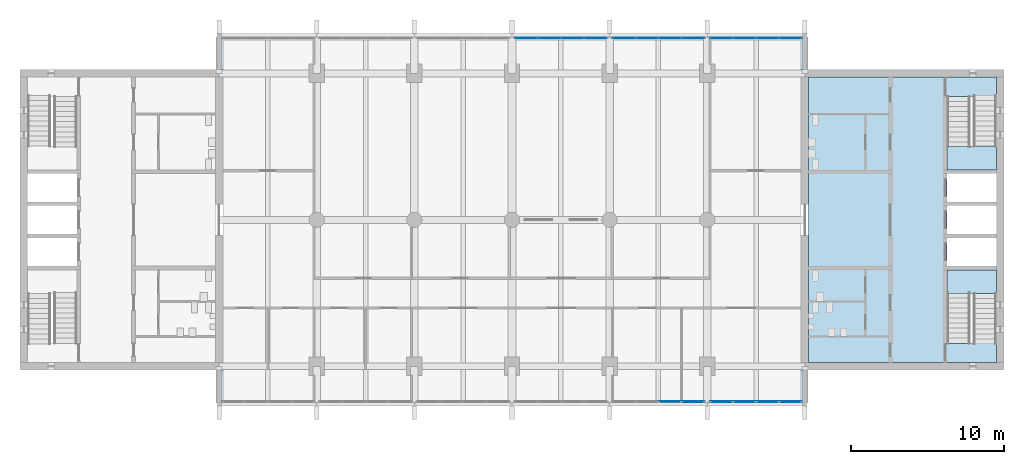
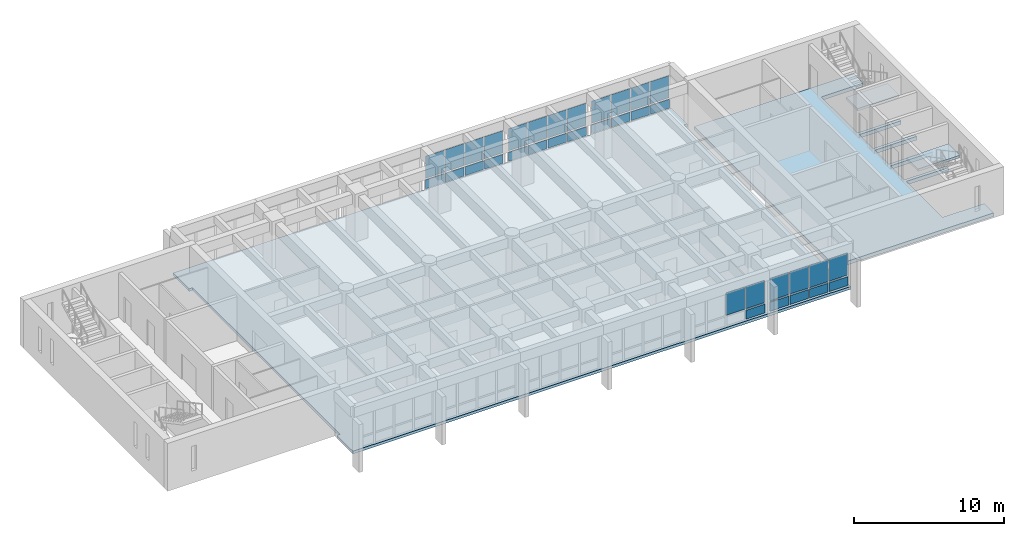
# One storey, part 8 of 15: 35 plates, 4 slabs, 7 elements without a shape of their own.
"""IFC4 building model written with IfcOpenShell, lengths in metres."""

from ifc_helpers import new_model, si_unit, direction, frame, origin, origin_2d, place, context, subcontext, project, spatial, polyline, rectangle, outline, extrude, material, layer, layer_set, type_object, element, aggregate, save


model = new_model("IFC4")

# Units and contexts
model_context = context("Model", 3, precision=1e-05, world=origin(), true_north=direction((0.0, 1.0)))
body_context = subcontext(model_context, "Body", "Model", "MODEL_VIEW")
ifc_project = project(units=[si_unit("LENGTHUNIT", "METRE"), si_unit("AREAUNIT", "SQUARE_METRE"), si_unit("VOLUMEUNIT", "CUBIC_METRE"), si_unit("PLANEANGLEUNIT", "RADIAN"), si_unit("MASSUNIT", "GRAM", prefix="KILO")], contexts=[model_context])

# Site, building, storey
site_placement = place(None, origin())
site = spatial("IfcSite", under=ifc_project, at=site_placement, CompositionType="ELEMENT")
building_placement = place(site_placement, origin())
building = spatial("IfcBuilding", under=site, at=building_placement, Name="Fogon Plaza Fire Station and Headquarters Tower", CompositionType="ELEMENT")
storey_placement = place(building_placement, frame((0.0, 0.0, 28.800048828125)))
storey = spatial("IfcBuildingStorey", under=building, at=storey_placement, Name="L07", CompositionType="ELEMENT", Elevation=28.800048828125)

# Slabs
ifc_material_1 = material(Name="Concrete C40", Category="concrete")
ifc_layer_1 = layer(ifc_material_1, 0.300048828125)
ifc_layer_set_1 = layer_set([ifc_layer_1], Name="Concrete C40")
slab_type_1 = type_object("IfcSlabType", Name="Core Floor Slab RC 300", PredefinedType="FLOOR", material=ifc_layer_set_1)
slab_1_placement = place(storey_placement, frame((0.0, 0.0, -0.300048828125)))
element("IfcSlab", 1, at=slab_1_placement, inside=storey, type_object=slab_type_1, Name="Core B floor", PredefinedType="FLOOR", context=body_context, shape_type="SweptSolid", body=[
    extrude(outline(polyline([(76.550048828125, 35.110107421875), (73.324951171875, 35.110107421875), (73.324951171875, 39.925048828125), (76.550048828125, 39.925048828125), (76.550048828125, 40.175048828125), (73.324951171875, 40.175048828125), (73.324951171875, 42.02490234375), (76.550048828125, 42.02490234375), (76.550048828125, 42.27490234375), (73.324951171875, 42.27490234375), (73.324951171875, 44.125), (76.550048828125, 44.125), (76.550048828125, 44.375), (73.324951171875, 44.375), (73.324951171875, 46.22509765625), (76.550048828125, 46.22509765625), (76.550048828125, 46.47509765625), (73.324951171875, 46.47509765625), (73.324951171875, 51.2900390625), (76.550048828125, 51.2900390625), (76.550048828125, 52.550048828125), (64.25, 52.550048828125), (64.25, 33.85009765625), (76.550048828125, 33.85009765625), (76.550048828125, 35.110107421875)])), origin(), (0.0, 0.0, 1.0), 0.300048828125),
])
ifc_material_2 = material(Name="Concrete C40", Category="concrete")
ifc_layer_2 = layer(ifc_material_2, 0.219970703125)
ifc_layer_set_2 = layer_set([ifc_layer_2], Name="Concrete C40")
slab_type_2 = type_object("IfcSlabType", Name="Floor slab 220 S22", PredefinedType="FLOOR", material=ifc_layer_set_2)
slab_2_placement = place(storey_placement, frame((0.0, 0.0, -0.219970703125)))
element("IfcSlab", 2, at=slab_2_placement, inside=storey, type_object=slab_type_2, Name="slab-L07-bar", PredefinedType="FLOOR", context=body_context, shape_type="SweptSolid", body=[
    extrude(outline(polyline([(64.0, 31.199951171875), (25.60009765625, 31.199951171875), (25.60009765625, 33.35009765625), (25.85009765625, 33.35009765625), (25.85009765625, 53.050048828125), (25.60009765625, 53.050048828125), (25.60009765625, 55.199951171875), (64.0, 55.199951171875), (64.0, 53.050048828125), (63.75, 53.050048828125), (63.75, 33.35009765625), (64.0, 33.35009765625), (64.0, 31.199951171875)])), origin(), (0.0, 0.0, 1.0), 0.219970703125),
])

# Curtain wall, plate
ifc_material_3 = material(Name="Aluminium and glass", Category="aluminium")
ifc_layer_3 = layer(ifc_material_3, 0.14990234375)
ifc_layer_set_3 = layer_set([ifc_layer_3], Name="Aluminium and glass")
curtain_wall_type = type_object("IfcCurtainWallType", Name="Unitised Curtain Wall Run 6100x2880", PredefinedType="NOTDEFINED", material=ifc_layer_set_3)
curtain_wall_1_placement = place(storey_placement, origin())
curtain_wall_1 = element("IfcCurtainWall", 3, at=curtain_wall_1_placement, inside=storey, type_object=curtain_wall_type, Name="CW-6100x2880 S5 L07", PredefinedType="NOTDEFINED")
ifc_material_4 = material(Name="Insulated aluminium spandrel", Category="aluminium")
ifc_layer_4 = layer(ifc_material_4, 0.06005859375)
ifc_layer_set_4 = layer_set([ifc_layer_4], Name="Insulated aluminium spandrel")
plate_type_1 = type_object("IfcPlateType", Name="Insulated Spandrel Panel", PredefinedType="CURTAIN_PANEL", material=ifc_layer_set_4)
plate_1_placement = place(storey_placement, frame((56.6650390625, 31.280029296875, 0.1201171875), z_axis=(0.0, 0.0, 1.0), x_axis=(1.0, 0.0, 0.0)))
plate_1 = element("IfcPlate", 4, at=plate_1_placement, type_object=plate_type_1, Name="SP1 panel 4.1", PredefinedType="CURTAIN_PANEL", context=body_context, shape_type="SweptSolid", body=[
    extrude(rectangle(XDim=1.449951171875, YDim=0.06005859375, at=origin_2d()), origin(), (0.0, 0.0, 1.0), 0.719970703125),
])

# Curtain wall, plates
curtain_wall_2_placement = place(storey_placement, origin())
curtain_wall_2 = element("IfcCurtainWall", 5, at=curtain_wall_2_placement, inside=storey, type_object=curtain_wall_type, Name="CW-6100x2880 S6 L07", PredefinedType="NOTDEFINED")
plate_2_placement = place(storey_placement, frame((58.534912109375, 31.280029296875, 0.1201171875), z_axis=(0.0, 0.0, 1.0), x_axis=(1.0, 0.0, 0.0)))
plate_2 = element("IfcPlate", 6, at=plate_2_placement, type_object=plate_type_1, Name="SP1 panel 1.1", PredefinedType="CURTAIN_PANEL", context=body_context, shape_type="SweptSolid", body=[
    extrude(rectangle(XDim=1.449951171875, YDim=0.06005859375, at=origin_2d()), origin(), (0.0, 0.0, 1.0), 0.719970703125),
])
plate_3_placement = place(storey_placement, frame((60.044921875, 31.280029296875, 0.1201171875), z_axis=(0.0, 0.0, 1.0), x_axis=(1.0, 0.0, 0.0)))
plate_3 = element("IfcPlate", 7, at=plate_3_placement, type_object=plate_type_1, Name="SP1 panel 2.1", PredefinedType="CURTAIN_PANEL", context=body_context, shape_type="SweptSolid", body=[
    extrude(rectangle(XDim=1.449951171875, YDim=0.06005859375, at=origin_2d()), origin(), (0.0, 0.0, 1.0), 0.719970703125),
])
plate_4_placement = place(storey_placement, frame((61.554931640625, 31.280029296875, 0.1201171875), z_axis=(0.0, 0.0, 1.0), x_axis=(1.0, 0.0, 0.0)))
plate_4 = element("IfcPlate", 8, at=plate_4_placement, type_object=plate_type_1, Name="SP1 panel 3.1", PredefinedType="CURTAIN_PANEL", context=body_context, shape_type="SweptSolid", body=[
    extrude(rectangle(XDim=1.449951171875, YDim=0.06005859375, at=origin_2d()), origin(), (0.0, 0.0, 1.0), 0.719970703125),
])
plate_5_placement = place(storey_placement, frame((63.06494140625, 31.280029296875, 0.1201171875), z_axis=(0.0, 0.0, 1.0), x_axis=(1.0, 0.0, 0.0)))
plate_5 = element("IfcPlate", 9, at=plate_5_placement, type_object=plate_type_1, Name="SP1 panel 4.1", PredefinedType="CURTAIN_PANEL", context=body_context, shape_type="SweptSolid", body=[
    extrude(rectangle(XDim=1.449951171875, YDim=0.06005859375, at=origin_2d()), origin(), (0.0, 0.0, 1.0), 0.719970703125),
])

curtain_wall_3_placement = place(storey_placement, origin())
curtain_wall_3 = element("IfcCurtainWall", 10, at=curtain_wall_3_placement, inside=storey, type_object=curtain_wall_type, Name="CW-6100x2880 N4 L07", PredefinedType="NOTDEFINED")
plate_6_placement = place(storey_placement, frame((45.735107421875, 55.1201171875, 0.1201171875), z_axis=(0.0, 0.0, 1.0), x_axis=(1.0, 0.0, 0.0)))
plate_6 = element("IfcPlate", 11, at=plate_6_placement, type_object=plate_type_1, Name="SP1 panel 1.1", PredefinedType="CURTAIN_PANEL", context=body_context, shape_type="SweptSolid", body=[
    extrude(rectangle(XDim=1.449951171875, YDim=0.06005859375, at=origin_2d()), origin(), (0.0, 0.0, 1.0), 0.719970703125),
])
plate_7_placement = place(storey_placement, frame((47.2451171875, 55.1201171875, 0.1201171875), z_axis=(0.0, 0.0, 1.0), x_axis=(1.0, 0.0, 0.0)))
plate_7 = element("IfcPlate", 12, at=plate_7_placement, type_object=plate_type_1, Name="SP1 panel 2.1", PredefinedType="CURTAIN_PANEL", context=body_context, shape_type="SweptSolid", body=[
    extrude(rectangle(XDim=1.449951171875, YDim=0.06005859375, at=origin_2d()), origin(), (0.0, 0.0, 1.0), 0.719970703125),
])
plate_8_placement = place(storey_placement, frame((48.7548828125, 55.1201171875, 0.1201171875), z_axis=(0.0, 0.0, 1.0), x_axis=(1.0, 0.0, 0.0)))
plate_8 = element("IfcPlate", 13, at=plate_8_placement, type_object=plate_type_1, Name="SP1 panel 3.1", PredefinedType="CURTAIN_PANEL", context=body_context, shape_type="SweptSolid", body=[
    extrude(rectangle(XDim=1.449951171875, YDim=0.06005859375, at=origin_2d()), origin(), (0.0, 0.0, 1.0), 0.719970703125),
])
plate_9_placement = place(storey_placement, frame((50.264892578125, 55.1201171875, 0.1201171875), z_axis=(0.0, 0.0, 1.0), x_axis=(1.0, 0.0, 0.0)))
plate_9 = element("IfcPlate", 14, at=plate_9_placement, type_object=plate_type_1, Name="SP1 panel 4.1", PredefinedType="CURTAIN_PANEL", context=body_context, shape_type="SweptSolid", body=[
    extrude(rectangle(XDim=1.449951171875, YDim=0.06005859375, at=origin_2d()), origin(), (0.0, 0.0, 1.0), 0.719970703125),
])

curtain_wall_4_placement = place(storey_placement, origin())
curtain_wall_4 = element("IfcCurtainWall", 15, at=curtain_wall_4_placement, inside=storey, type_object=curtain_wall_type, Name="CW-6100x2880 N5 L07", PredefinedType="NOTDEFINED")
plate_10_placement = place(storey_placement, frame((52.135009765625, 55.1201171875, 0.1201171875), z_axis=(0.0, 0.0, 1.0), x_axis=(1.0, 0.0, 0.0)))
plate_10 = element("IfcPlate", 16, at=plate_10_placement, type_object=plate_type_1, Name="SP1 panel 1.1", PredefinedType="CURTAIN_PANEL", context=body_context, shape_type="SweptSolid", body=[
    extrude(rectangle(XDim=1.449951171875, YDim=0.06005859375, at=origin_2d()), origin(), (0.0, 0.0, 1.0), 0.719970703125),
])
plate_11_placement = place(storey_placement, frame((53.64501953125, 55.1201171875, 0.1201171875), z_axis=(0.0, 0.0, 1.0), x_axis=(1.0, 0.0, 0.0)))
plate_11 = element("IfcPlate", 17, at=plate_11_placement, type_object=plate_type_1, Name="SP1 panel 2.1", PredefinedType="CURTAIN_PANEL", context=body_context, shape_type="SweptSolid", body=[
    extrude(rectangle(XDim=1.449951171875, YDim=0.06005859375, at=origin_2d()), origin(), (0.0, 0.0, 1.0), 0.719970703125),
])
plate_12_placement = place(storey_placement, frame((55.155029296875, 55.1201171875, 0.1201171875), z_axis=(0.0, 0.0, 1.0), x_axis=(1.0, 0.0, 0.0)))
plate_12 = element("IfcPlate", 18, at=plate_12_placement, type_object=plate_type_1, Name="SP1 panel 3.1", PredefinedType="CURTAIN_PANEL", context=body_context, shape_type="SweptSolid", body=[
    extrude(rectangle(XDim=1.449951171875, YDim=0.06005859375, at=origin_2d()), origin(), (0.0, 0.0, 1.0), 0.719970703125),
])
plate_13_placement = place(storey_placement, frame((56.6650390625, 55.1201171875, 0.1201171875), z_axis=(0.0, 0.0, 1.0), x_axis=(1.0, 0.0, 0.0)))
plate_13 = element("IfcPlate", 19, at=plate_13_placement, type_object=plate_type_1, Name="SP1 panel 4.1", PredefinedType="CURTAIN_PANEL", context=body_context, shape_type="SweptSolid", body=[
    extrude(rectangle(XDim=1.449951171875, YDim=0.06005859375, at=origin_2d()), origin(), (0.0, 0.0, 1.0), 0.719970703125),
])

curtain_wall_5_placement = place(storey_placement, origin())
curtain_wall_5 = element("IfcCurtainWall", 20, at=curtain_wall_5_placement, inside=storey, type_object=curtain_wall_type, Name="CW-6100x2880 N6 L07", PredefinedType="NOTDEFINED")
plate_14_placement = place(storey_placement, frame((58.534912109375, 55.1201171875, 0.1201171875), z_axis=(0.0, 0.0, 1.0), x_axis=(1.0, 0.0, 0.0)))
plate_14 = element("IfcPlate", 21, at=plate_14_placement, type_object=plate_type_1, Name="SP1 panel 1.1", PredefinedType="CURTAIN_PANEL", context=body_context, shape_type="SweptSolid", body=[
    extrude(rectangle(XDim=1.449951171875, YDim=0.06005859375, at=origin_2d()), origin(), (0.0, 0.0, 1.0), 0.719970703125),
])
plate_15_placement = place(storey_placement, frame((60.044921875, 55.1201171875, 0.1201171875), z_axis=(0.0, 0.0, 1.0), x_axis=(1.0, 0.0, 0.0)))
plate_15 = element("IfcPlate", 22, at=plate_15_placement, type_object=plate_type_1, Name="SP1 panel 2.1", PredefinedType="CURTAIN_PANEL", context=body_context, shape_type="SweptSolid", body=[
    extrude(rectangle(XDim=1.449951171875, YDim=0.06005859375, at=origin_2d()), origin(), (0.0, 0.0, 1.0), 0.719970703125),
])
plate_16_placement = place(storey_placement, frame((61.554931640625, 55.1201171875, 0.1201171875), z_axis=(0.0, 0.0, 1.0), x_axis=(1.0, 0.0, 0.0)))
plate_16 = element("IfcPlate", 23, at=plate_16_placement, type_object=plate_type_1, Name="SP1 panel 3.1", PredefinedType="CURTAIN_PANEL", context=body_context, shape_type="SweptSolid", body=[
    extrude(rectangle(XDim=1.449951171875, YDim=0.06005859375, at=origin_2d()), origin(), (0.0, 0.0, 1.0), 0.719970703125),
])
plate_17_placement = place(storey_placement, frame((63.06494140625, 55.1201171875, 0.1201171875), z_axis=(0.0, 0.0, 1.0), x_axis=(1.0, 0.0, 0.0)))
plate_17 = element("IfcPlate", 24, at=plate_17_placement, type_object=plate_type_1, Name="SP1 panel 4.1", PredefinedType="CURTAIN_PANEL", context=body_context, shape_type="SweptSolid", body=[
    extrude(rectangle(XDim=1.449951171875, YDim=0.06005859375, at=origin_2d()), origin(), (0.0, 0.0, 1.0), 0.719970703125),
])

# Stair, slab
ifc_material_5 = material(Name="Concrete C40", Category="concrete")
stair_type = type_object("IfcStairType", Name="Exit Stair Two Flights", PredefinedType="TWO_STRAIGHT_RUN_STAIR", material=ifc_material_5)
stair_1_placement = place(storey_placement, origin())
stair_1 = element("IfcStair", 25, at=stair_1_placement, inside=storey, type_object=stair_type, Name="Stair ST3", PredefinedType="TWO_STRAIGHT_RUN_STAIR")
ifc_material_6 = material(Name="Concrete C40", Category="concrete")
ifc_layer_5 = layer(ifc_material_6, 0.300048828125)
ifc_layer_set_5 = layer_set([ifc_layer_5], Name="Concrete C40")
slab_type_3 = type_object("IfcSlabType", Name="Stair Landing RC 300", PredefinedType="LANDING", material=ifc_layer_set_5)
slab_3_placement = place(storey_placement, frame((0.0, 0.0, 1.75)))
slab_3 = element("IfcSlab", 26, at=slab_3_placement, type_object=slab_type_3, Name="ST3 landing L09", PredefinedType="LANDING", context=body_context, shape_type="SweptSolid", body=[
    extrude(outline(polyline([(73.324951171875, 38.375), (76.550048828125, 38.375), (76.550048828125, 39.925048828125), (73.324951171875, 39.925048828125), (73.324951171875, 38.375)])), origin(), (0.0, 0.0, 1.0), 0.199951171875),
])
aggregate(stair_1, [slab_3])

stair_2_placement = place(storey_placement, origin())
stair_2 = element("IfcStair", 27, at=stair_2_placement, inside=storey, type_object=stair_type, Name="Stair ST4", PredefinedType="TWO_STRAIGHT_RUN_STAIR")
slab_4_placement = place(storey_placement, frame((0.0, 0.0, 1.75)))
slab_4 = element("IfcSlab", 28, at=slab_4_placement, type_object=slab_type_3, Name="ST4 landing L09", PredefinedType="LANDING", context=body_context, shape_type="SweptSolid", body=[
    extrude(outline(polyline([(73.324951171875, 46.47509765625), (76.550048828125, 46.47509765625), (76.550048828125, 48.02490234375), (73.324951171875, 48.02490234375), (73.324951171875, 46.47509765625)])), origin(), (0.0, 0.0, 1.0), 0.199951171875),
])
aggregate(stair_2, [slab_4])

# Plate
ifc_material_7 = material(Name="Low-e double glazing", Category="glass")
ifc_layer_6 = layer(ifc_material_7, 0.028076171875)
ifc_layer_set_6 = layer_set([ifc_layer_6], Name="Low-e double glazing")
plate_type_2 = type_object("IfcPlateType", Name="Vision Glass Panel 1450x1800", PredefinedType="CURTAIN_PANEL", material=ifc_layer_set_6)
plate_18_placement = place(storey_placement, frame((55.155029296875, 31.280029296875, 0.9599609375), z_axis=(0.0, 0.0, 1.0), x_axis=(1.0, 0.0, 0.0)))
plate_18 = element("IfcPlate", 29, at=plate_18_placement, type_object=plate_type_2, Name="VG-1450x1800 panel 3.2", PredefinedType="CURTAIN_PANEL", context=body_context, shape_type="SweptSolid", body=[
    extrude(rectangle(XDim=1.449951171875, YDim=0.028076171875, at=origin_2d()), origin(), (0.0, 0.0, 1.0), 1.800048828125),
])

plate_19_placement = place(storey_placement, frame((56.6650390625, 31.280029296875, 0.9599609375), z_axis=(0.0, 0.0, 1.0), x_axis=(1.0, 0.0, 0.0)))
plate_19 = element("IfcPlate", 30, at=plate_19_placement, type_object=plate_type_2, Name="VG-1450x1800 panel 4.2", PredefinedType="CURTAIN_PANEL", context=body_context, shape_type="SweptSolid", body=[
    extrude(rectangle(XDim=1.449951171875, YDim=0.028076171875, at=origin_2d()), origin(), (0.0, 0.0, 1.0), 1.800048828125),
])

aggregate(curtain_wall_1, [plate_18, plate_1, plate_19])

plate_20_placement = place(storey_placement, frame((58.534912109375, 31.280029296875, 0.9599609375), z_axis=(0.0, 0.0, 1.0), x_axis=(1.0, 0.0, 0.0)))
plate_20 = element("IfcPlate", 31, at=plate_20_placement, type_object=plate_type_2, Name="VG-1450x1800 panel 1.2", PredefinedType="CURTAIN_PANEL", context=body_context, shape_type="SweptSolid", body=[
    extrude(rectangle(XDim=1.449951171875, YDim=0.028076171875, at=origin_2d()), origin(), (0.0, 0.0, 1.0), 1.800048828125),
])

plate_21_placement = place(storey_placement, frame((60.044921875, 31.280029296875, 0.9599609375), z_axis=(0.0, 0.0, 1.0), x_axis=(1.0, 0.0, 0.0)))
plate_21 = element("IfcPlate", 32, at=plate_21_placement, type_object=plate_type_2, Name="VG-1450x1800 panel 2.2", PredefinedType="CURTAIN_PANEL", context=body_context, shape_type="SweptSolid", body=[
    extrude(rectangle(XDim=1.449951171875, YDim=0.028076171875, at=origin_2d()), origin(), (0.0, 0.0, 1.0), 1.800048828125),
])

plate_22_placement = place(storey_placement, frame((61.554931640625, 31.280029296875, 0.9599609375), z_axis=(0.0, 0.0, 1.0), x_axis=(1.0, 0.0, 0.0)))
plate_22 = element("IfcPlate", 33, at=plate_22_placement, type_object=plate_type_2, Name="VG-1450x1800 panel 3.2", PredefinedType="CURTAIN_PANEL", context=body_context, shape_type="SweptSolid", body=[
    extrude(rectangle(XDim=1.449951171875, YDim=0.028076171875, at=origin_2d()), origin(), (0.0, 0.0, 1.0), 1.800048828125),
])

plate_23_placement = place(storey_placement, frame((63.06494140625, 31.280029296875, 0.9599609375), z_axis=(0.0, 0.0, 1.0), x_axis=(1.0, 0.0, 0.0)))
plate_23 = element("IfcPlate", 34, at=plate_23_placement, type_object=plate_type_2, Name="VG-1450x1800 panel 4.2", PredefinedType="CURTAIN_PANEL", context=body_context, shape_type="SweptSolid", body=[
    extrude(rectangle(XDim=1.449951171875, YDim=0.028076171875, at=origin_2d()), origin(), (0.0, 0.0, 1.0), 1.800048828125),
])

aggregate(curtain_wall_2, [plate_2, plate_20, plate_3, plate_21, plate_4, plate_22, plate_5, plate_23])

plate_24_placement = place(storey_placement, frame((45.735107421875, 55.1201171875, 0.9599609375), z_axis=(0.0, 0.0, 1.0), x_axis=(1.0, 0.0, 0.0)))
plate_24 = element("IfcPlate", 35, at=plate_24_placement, type_object=plate_type_2, Name="VG-1450x1800 panel 1.2", PredefinedType="CURTAIN_PANEL", context=body_context, shape_type="SweptSolid", body=[
    extrude(rectangle(XDim=1.449951171875, YDim=0.028076171875, at=origin_2d()), origin(), (0.0, 0.0, 1.0), 1.800048828125),
])

plate_25_placement = place(storey_placement, frame((47.2451171875, 55.1201171875, 0.9599609375), z_axis=(0.0, 0.0, 1.0), x_axis=(1.0, 0.0, 0.0)))
plate_25 = element("IfcPlate", 36, at=plate_25_placement, type_object=plate_type_2, Name="VG-1450x1800 panel 2.2", PredefinedType="CURTAIN_PANEL", context=body_context, shape_type="SweptSolid", body=[
    extrude(rectangle(XDim=1.449951171875, YDim=0.028076171875, at=origin_2d()), origin(), (0.0, 0.0, 1.0), 1.800048828125),
])

plate_26_placement = place(storey_placement, frame((48.7548828125, 55.1201171875, 0.9599609375), z_axis=(0.0, 0.0, 1.0), x_axis=(1.0, 0.0, 0.0)))
plate_26 = element("IfcPlate", 37, at=plate_26_placement, type_object=plate_type_2, Name="VG-1450x1800 panel 3.2", PredefinedType="CURTAIN_PANEL", context=body_context, shape_type="SweptSolid", body=[
    extrude(rectangle(XDim=1.449951171875, YDim=0.028076171875, at=origin_2d()), origin(), (0.0, 0.0, 1.0), 1.800048828125),
])

plate_27_placement = place(storey_placement, frame((50.264892578125, 55.1201171875, 0.9599609375), z_axis=(0.0, 0.0, 1.0), x_axis=(1.0, 0.0, 0.0)))
plate_27 = element("IfcPlate", 38, at=plate_27_placement, type_object=plate_type_2, Name="VG-1450x1800 panel 4.2", PredefinedType="CURTAIN_PANEL", context=body_context, shape_type="SweptSolid", body=[
    extrude(rectangle(XDim=1.449951171875, YDim=0.028076171875, at=origin_2d()), origin(), (0.0, 0.0, 1.0), 1.800048828125),
])

aggregate(curtain_wall_3, [plate_6, plate_24, plate_7, plate_25, plate_8, plate_26, plate_9, plate_27])

plate_28_placement = place(storey_placement, frame((52.135009765625, 55.1201171875, 0.9599609375), z_axis=(0.0, 0.0, 1.0), x_axis=(1.0, 0.0, 0.0)))
plate_28 = element("IfcPlate", 39, at=plate_28_placement, type_object=plate_type_2, Name="VG-1450x1800 panel 1.2", PredefinedType="CURTAIN_PANEL", context=body_context, shape_type="SweptSolid", body=[
    extrude(rectangle(XDim=1.449951171875, YDim=0.028076171875, at=origin_2d()), origin(), (0.0, 0.0, 1.0), 1.800048828125),
])

plate_29_placement = place(storey_placement, frame((53.64501953125, 55.1201171875, 0.9599609375), z_axis=(0.0, 0.0, 1.0), x_axis=(1.0, 0.0, 0.0)))
plate_29 = element("IfcPlate", 40, at=plate_29_placement, type_object=plate_type_2, Name="VG-1450x1800 panel 2.2", PredefinedType="CURTAIN_PANEL", context=body_context, shape_type="SweptSolid", body=[
    extrude(rectangle(XDim=1.449951171875, YDim=0.028076171875, at=origin_2d()), origin(), (0.0, 0.0, 1.0), 1.800048828125),
])

plate_30_placement = place(storey_placement, frame((55.155029296875, 55.1201171875, 0.9599609375), z_axis=(0.0, 0.0, 1.0), x_axis=(1.0, 0.0, 0.0)))
plate_30 = element("IfcPlate", 41, at=plate_30_placement, type_object=plate_type_2, Name="VG-1450x1800 panel 3.2", PredefinedType="CURTAIN_PANEL", context=body_context, shape_type="SweptSolid", body=[
    extrude(rectangle(XDim=1.449951171875, YDim=0.028076171875, at=origin_2d()), origin(), (0.0, 0.0, 1.0), 1.800048828125),
])

plate_31_placement = place(storey_placement, frame((56.6650390625, 55.1201171875, 0.9599609375), z_axis=(0.0, 0.0, 1.0), x_axis=(1.0, 0.0, 0.0)))
plate_31 = element("IfcPlate", 42, at=plate_31_placement, type_object=plate_type_2, Name="VG-1450x1800 panel 4.2", PredefinedType="CURTAIN_PANEL", context=body_context, shape_type="SweptSolid", body=[
    extrude(rectangle(XDim=1.449951171875, YDim=0.028076171875, at=origin_2d()), origin(), (0.0, 0.0, 1.0), 1.800048828125),
])

aggregate(curtain_wall_4, [plate_10, plate_28, plate_11, plate_29, plate_12, plate_30, plate_13, plate_31])

plate_32_placement = place(storey_placement, frame((58.534912109375, 55.1201171875, 0.9599609375), z_axis=(0.0, 0.0, 1.0), x_axis=(1.0, 0.0, 0.0)))
plate_32 = element("IfcPlate", 43, at=plate_32_placement, type_object=plate_type_2, Name="VG-1450x1800 panel 1.2", PredefinedType="CURTAIN_PANEL", context=body_context, shape_type="SweptSolid", body=[
    extrude(rectangle(XDim=1.449951171875, YDim=0.028076171875, at=origin_2d()), origin(), (0.0, 0.0, 1.0), 1.800048828125),
])

plate_33_placement = place(storey_placement, frame((60.044921875, 55.1201171875, 0.9599609375), z_axis=(0.0, 0.0, 1.0), x_axis=(1.0, 0.0, 0.0)))
plate_33 = element("IfcPlate", 44, at=plate_33_placement, type_object=plate_type_2, Name="VG-1450x1800 panel 2.2", PredefinedType="CURTAIN_PANEL", context=body_context, shape_type="SweptSolid", body=[
    extrude(rectangle(XDim=1.449951171875, YDim=0.028076171875, at=origin_2d()), origin(), (0.0, 0.0, 1.0), 1.800048828125),
])

plate_34_placement = place(storey_placement, frame((61.554931640625, 55.1201171875, 0.9599609375), z_axis=(0.0, 0.0, 1.0), x_axis=(1.0, 0.0, 0.0)))
plate_34 = element("IfcPlate", 45, at=plate_34_placement, type_object=plate_type_2, Name="VG-1450x1800 panel 3.2", PredefinedType="CURTAIN_PANEL", context=body_context, shape_type="SweptSolid", body=[
    extrude(rectangle(XDim=1.449951171875, YDim=0.028076171875, at=origin_2d()), origin(), (0.0, 0.0, 1.0), 1.800048828125),
])

plate_35_placement = place(storey_placement, frame((63.06494140625, 55.1201171875, 0.9599609375), z_axis=(0.0, 0.0, 1.0), x_axis=(1.0, 0.0, 0.0)))
plate_35 = element("IfcPlate", 46, at=plate_35_placement, type_object=plate_type_2, Name="VG-1450x1800 panel 4.2", PredefinedType="CURTAIN_PANEL", context=body_context, shape_type="SweptSolid", body=[
    extrude(rectangle(XDim=1.449951171875, YDim=0.028076171875, at=origin_2d()), origin(), (0.0, 0.0, 1.0), 1.800048828125),
])

aggregate(curtain_wall_5, [plate_14, plate_32, plate_15, plate_33, plate_16, plate_34, plate_17, plate_35])

save(model, "model.ifc")
